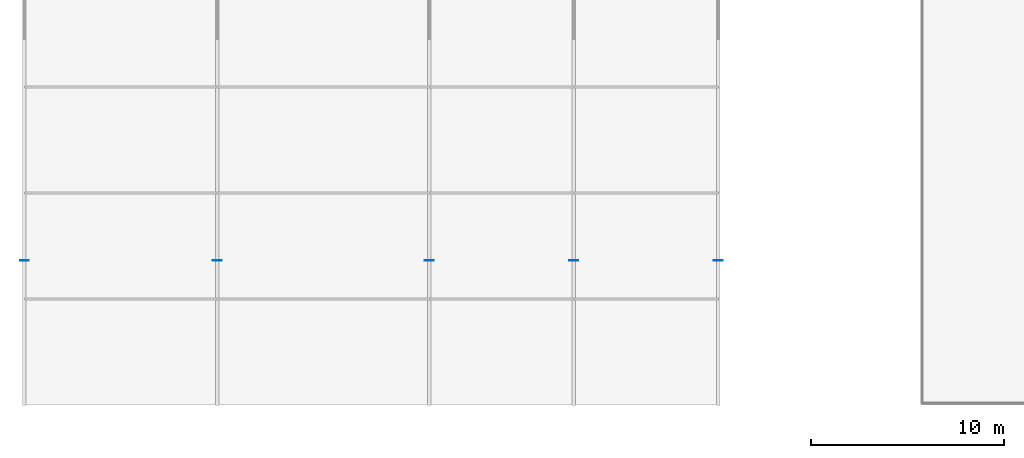
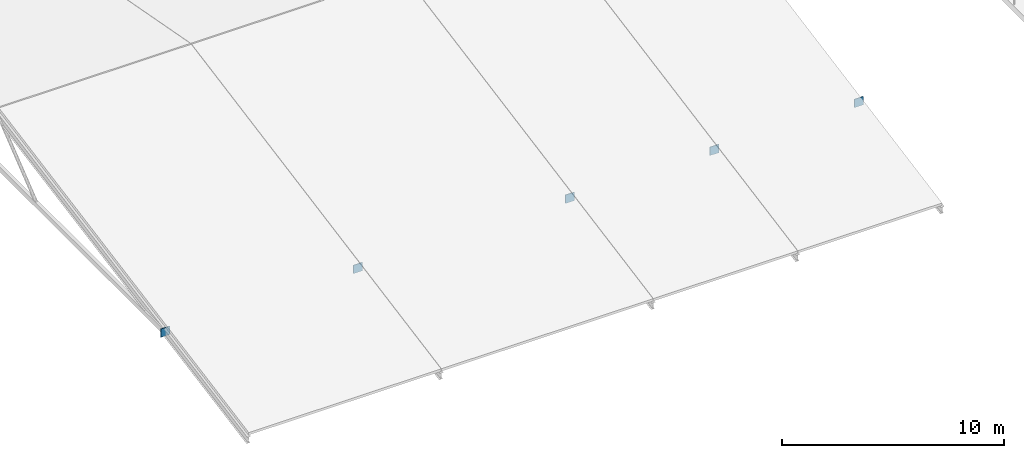
# One storey, part 140 of 168: 5 plates.
"""IFC4 building model written with IfcOpenShell, lengths in metres."""

import ifcopenshell
import ifcopenshell.guid

model = None  # the IFC model being written
_history = None  # IfcOwnerHistory: only IFC2X3 demands one
_inside = {}  # id of a spatial element -> (the spatial element, [elements in it])
_under = {}  # id of a project, library or spatial element -> (it, [spatial elements below it])
_declared = {}  # id of a project -> (the project, [libraries it declares])
_typed = {}  # id of a type object -> (the type object, [elements of that type])
_made_of = {}  # id of a material, layer set ... -> (it, [elements and type objects made of it])


def new_model(schema):
    """Start an empty IFC model of exactly this schema.

    Asked for "IFC4X3", IfcOpenShell would pick the latest addendum, in which some entities
    have other attributes; the version numbers below select the first issue.
    IFC2X3 requires an IfcOwnerHistory on every rooted entity: one is made here for all.
    """
    global model, _history
    if schema == "IFC4X3":
        model = ifcopenshell.file(schema_version=(4, 3, 0, 0))
    else:
        model = ifcopenshell.file(schema=schema)
    _inside.clear()
    _under.clear()
    _declared.clear()
    _typed.clear()
    _made_of.clear()
    _history = None
    if model.schema == "IFC2X3":
        org = make("IfcOrganization", Name="unknown")
        user = make(
            "IfcPersonAndOrganization",
            ThePerson=make("IfcPerson", FamilyName="unknown"),
            TheOrganization=org,
        )
        app = make(
            "IfcApplication",
            ApplicationDeveloper=org,
            Version="unknown",
            ApplicationFullName="unknown",
            ApplicationIdentifier="unknown",
        )
        _history = make(
            "IfcOwnerHistory",
            OwningUser=user,
            OwningApplication=app,
            ChangeAction="ADDED",
            CreationDate=0,
        )
    return model


def make(cls, **values):
    """One entity of the class cls with the attributes given. An attribute that is None is left unset."""
    return model.create_entity(
        cls, **{name: value for name, value in values.items() if value is not None}
    )


def rooted(cls, **values):
    """An entity with a GlobalId (a new one), such as an element, a storey or a relation."""
    return make(cls, GlobalId=ifcopenshell.guid.new(), OwnerHistory=_history, **values)


def si_unit(unit_type, name, prefix=None):
    """IfcSIUnit, for example si_unit("LENGTHUNIT", "METRE", prefix="MILLI")."""
    return make("IfcSIUnit", UnitType=unit_type, Prefix=prefix, Name=name)


def assignment(units):
    """IfcUnitAssignment: the units of a project."""
    return None if units is None else make("IfcUnitAssignment", Units=units)


def point(xyz):
    """IfcCartesianPoint."""
    return None if xyz is None else make("IfcCartesianPoint", Coordinates=xyz)


def direction(xyz):
    """IfcDirection."""
    return None if xyz is None else make("IfcDirection", DirectionRatios=xyz)


def frame(location, z_axis=None, x_axis=None):
    """IfcAxis2Placement3D, a coordinate frame: its origin and axes. An axis left out is left unset."""
    return make(
        "IfcAxis2Placement3D",
        Location=point(location),
        Axis=direction(z_axis),
        RefDirection=direction(x_axis),
    )


def frame_2d(location, x_axis=None):
    """IfcAxis2Placement2D, a coordinate frame in the plane: its origin and x axis."""
    return make(
        "IfcAxis2Placement2D", Location=point(location), RefDirection=direction(x_axis)
    )


def origin():
    """The frame at (0, 0, 0) with its axes left unset."""
    return frame((0.0, 0.0, 0.0))


def origin_2d():
    """The frame at (0, 0) in the plane with its x axis left unset."""
    return frame_2d((0.0, 0.0))


def place(relative_to, where):
    """IfcLocalPlacement: puts the frame where relative to a parent placement (None: the world)."""
    return make(
        "IfcLocalPlacement", PlacementRelTo=relative_to, RelativePlacement=where
    )


def context(
    kind, dimensions, precision=None, world=None, true_north=None, identifier=None
):
    """IfcGeometricRepresentationContext, for example the 3D "Model" context."""
    return make(
        "IfcGeometricRepresentationContext",
        ContextIdentifier=identifier,
        ContextType=kind,
        CoordinateSpaceDimension=dimensions,
        Precision=precision,
        WorldCoordinateSystem=world,
        TrueNorth=true_north,
    )


def subcontext(parent, identifier, kind, view, scale=None):
    """IfcGeometricRepresentationSubContext, for example "Body" below "Model"."""
    return make(
        "IfcGeometricRepresentationSubContext",
        ContextIdentifier=identifier,
        ContextType=kind,
        ParentContext=parent,
        TargetScale=scale,
        TargetView=view,
    )


def project(units=None, contexts=None):
    """IfcProject with its units and contexts."""
    return rooted(
        "IfcProject",
        Name="project",
        RepresentationContexts=contexts,
        UnitsInContext=assignment(units),
    )


def spatial(cls, under=None, at=None, **own):
    """A site, building, storey or space (cls), placed at a placement, below another one or the project."""
    s = rooted(cls, ObjectPlacement=at, **own)
    if under is not None:
        _under.setdefault(under.id(), (under, []))[1].append(s)
    return s


def profile(cls, at=None, kind="AREA", **sizes):
    """A parametric profile (cls). Its sizes go by their IFC names, for example OverallWidth=200.0."""
    return make(cls, ProfileType=kind, Position=at, **sizes)


def rectangle(**sizes):
    """IfcRectangleProfileDef."""
    return profile("IfcRectangleProfileDef", **sizes)


def extrude(swept, where, along, depth):
    """IfcExtrudedAreaSolid: the profile swept, set in the frame where, extruded along a direction by depth."""
    return make(
        "IfcExtrudedAreaSolid",
        SweptArea=swept,
        Position=where,
        ExtrudedDirection=direction(along),
        Depth=depth,
    )


def shape(context_of_items, identifier, shape_type, items):
    """IfcShapeRepresentation: the items that make up one representation, for example the "Body"."""
    return make(
        "IfcShapeRepresentation",
        ContextOfItems=context_of_items,
        RepresentationIdentifier=identifier,
        RepresentationType=shape_type,
        Items=items,
    )


def material(Name=None, Category=None):
    """IfcMaterial."""
    return make("IfcMaterial", Name=Name, Category=Category)


def layer(
    of_material, thickness, ventilated=None, Name=None, Category=None, Priority=None
):
    """IfcMaterialLayer: one layer of a wall or slab, of a material (None: an air gap)."""
    return make(
        "IfcMaterialLayer",
        Material=of_material,
        LayerThickness=thickness,
        IsVentilated=ventilated,
        Name=Name,
        Category=Category,
        Priority=Priority,
    )


def layer_set(layers, Name=None):
    """IfcMaterialLayerSet."""
    return make("IfcMaterialLayerSet", MaterialLayers=layers, LayerSetName=Name)


def made_of(thing, what):
    """Note that an element or type object is made of a material, layer set ...; save() writes the relation."""
    if what is not None:
        _made_of.setdefault(what.id(), (what, []))[1].append(thing)
    return thing


def type_object(cls, material=None, **own):
    """A type object (cls), such as IfcWallType, which elements share."""
    return made_of(rooted(cls, **own), material)


def element(
    cls,
    number,
    at=None,
    inside=None,
    cuts=None,
    type_object=None,
    material=None,
    context=None,
    identifier="Body",
    shape_type=None,
    held_by="IfcProductDefinitionShape",
    body=None,
    shapes=None,
    **own,
):
    """One element of the class cls, such as IfcWall. Its Tag is "e" and its number.

    at: its placement. inside: the storey or other place that contains it. cuts: it is an
    opening in that element (IfcRelVoidsElement). A single representation is given by context,
    identifier, shape_type and body (its items); several are given by shapes. held_by: the class
    of the entity that holds the representations. save() writes the other relations.
    """
    e = rooted(cls, Tag="e%d" % number, ObjectPlacement=at, **own)
    if body is not None:
        shapes = [shape(context, identifier, shape_type, body)]
    if shapes is not None:
        e.Representation = make(held_by, Representations=shapes)
    if inside is not None:
        _inside.setdefault(inside.id(), (inside, []))[1].append(e)
    if cuts is not None:
        rooted(
            "IfcRelVoidsElement", RelatingBuildingElement=cuts, RelatedOpeningElement=e
        )
    if type_object is not None:
        _typed.setdefault(type_object.id(), (type_object, []))[1].append(e)
    return made_of(e, material)


def aggregate(whole, parts):
    """IfcRelAggregates: a whole, such as a stair, and the parts it consists of."""
    return rooted("IfcRelAggregates", RelatingObject=whole, RelatedObjects=parts)


def save(model, path):
    """Write the relations noted so far, then the file.

    IfcRelAggregates (storeys below a building ...), IfcRelContainedInSpatialStructure (elements
    in a storey), IfcRelDefinesByType, IfcRelAssociatesMaterial and IfcRelDeclares: one each for
    every whole, place, type object, material and project.
    """
    for whole, parts in _under.values():
        aggregate(whole, parts)
    for where, things in _inside.values():
        rooted(
            "IfcRelContainedInSpatialStructure",
            RelatedElements=things,
            RelatingStructure=where,
        )
    for kind, things in _typed.values():
        rooted("IfcRelDefinesByType", RelatedObjects=things, RelatingType=kind)
    for what, things in _made_of.values():
        rooted("IfcRelAssociatesMaterial", RelatedObjects=things, RelatingMaterial=what)
    for by, libraries in _declared.values():
        rooted("IfcRelDeclares", RelatingContext=by, RelatedDefinitions=libraries)
    model.write(path)


model = new_model("IFC4")

# Units and contexts
model_context = context("Model", 3, precision=1e-05, world=origin(), true_north=direction((0.0, 1.0)))
body_context = subcontext(model_context, "Body", "Model", "MODEL_VIEW")
ifc_project = project(units=[si_unit("LENGTHUNIT", "METRE"), si_unit("AREAUNIT", "SQUARE_METRE"), si_unit("VOLUMEUNIT", "CUBIC_METRE"), si_unit("PLANEANGLEUNIT", "RADIAN"), si_unit("MASSUNIT", "GRAM", prefix="KILO"), si_unit("THERMODYNAMICTEMPERATUREUNIT", "KELVIN"), si_unit("POWERUNIT", "WATT")], contexts=[model_context])

# Site, building, storey
site_placement = place(None, origin())
site = spatial("IfcSite", under=ifc_project, at=site_placement, CompositionType="ELEMENT")
building_placement = place(site_placement, origin())
building = spatial("IfcBuilding", under=site, at=building_placement, Name="Tepalcoro Natatorium and Aquatics Centre", CompositionType="ELEMENT")
storey_placement = place(building_placement, frame((0.0, 0.0, 10.199951171875)))
storey = spatial("IfcBuildingStorey", under=building, at=storey_placement, Name="L02", CompositionType="ELEMENT", Elevation=10.199951171875)

# Plates
ifc_material = material(Name="Plate Steel ASTM A572 Grade 50 (Fy 345 MPa)", Category="steel")
ifc_layer = layer(ifc_material, 0.031982421875)
ifc_layer_set = layer_set([ifc_layer], Name="Plate Steel ASTM A572 Grade 50 (Fy 345 MPa)")
plate_type = type_object("IfcPlateType", Name="PL_CAP_32", PredefinedType="USERDEFINED", material=ifc_layer_set)
for number, where, z_axis, x_axis, name in (
    (1, (0.0, 14.0, 0.763427734375), (0.0, 0.0, 1.0), (1.0, 0.0, 0.0), "Truss Node Cap Plate V3_0"),
    (2, (10.0, 14.0, 0.763427734375), (0.0, 0.0, 1.0), (1.0, 0.0, 0.0), "Truss Node Cap Plate V3_1"),
    (3, (21.0, 14.0, 0.763427734375), (0.0, 0.0, 1.0), (1.0, 0.0, 0.0), "Truss Node Cap Plate V3_2"),
    (4, (28.5, 14.0, 0.763427734375), (0.0, 0.0, 1.0), (1.0, 0.0, 0.0), "Truss Node Cap Plate V3_3"),
    (5, (36.0, 14.0, 0.763427734375), (0.0, 0.0, 1.0), (1.0, 0.0, 0.0), "Truss Node Cap Plate V3_4"),
):
    element("IfcPlate", number, at=place(storey_placement, frame(where, z_axis=z_axis, x_axis=x_axis)), inside=storey, type_object=plate_type, Name=name, ObjectType="CAP PLATE", PredefinedType="USERDEFINED", context=body_context, shape_type="SweptSolid", body=[
        extrude(rectangle(XDim=0.4599609375, YDim=0.031982421875, at=origin_2d()), origin(), (0.0, 0.0, 1.0), 0.4599609375),
    ])

save(model, "model.ifc")
